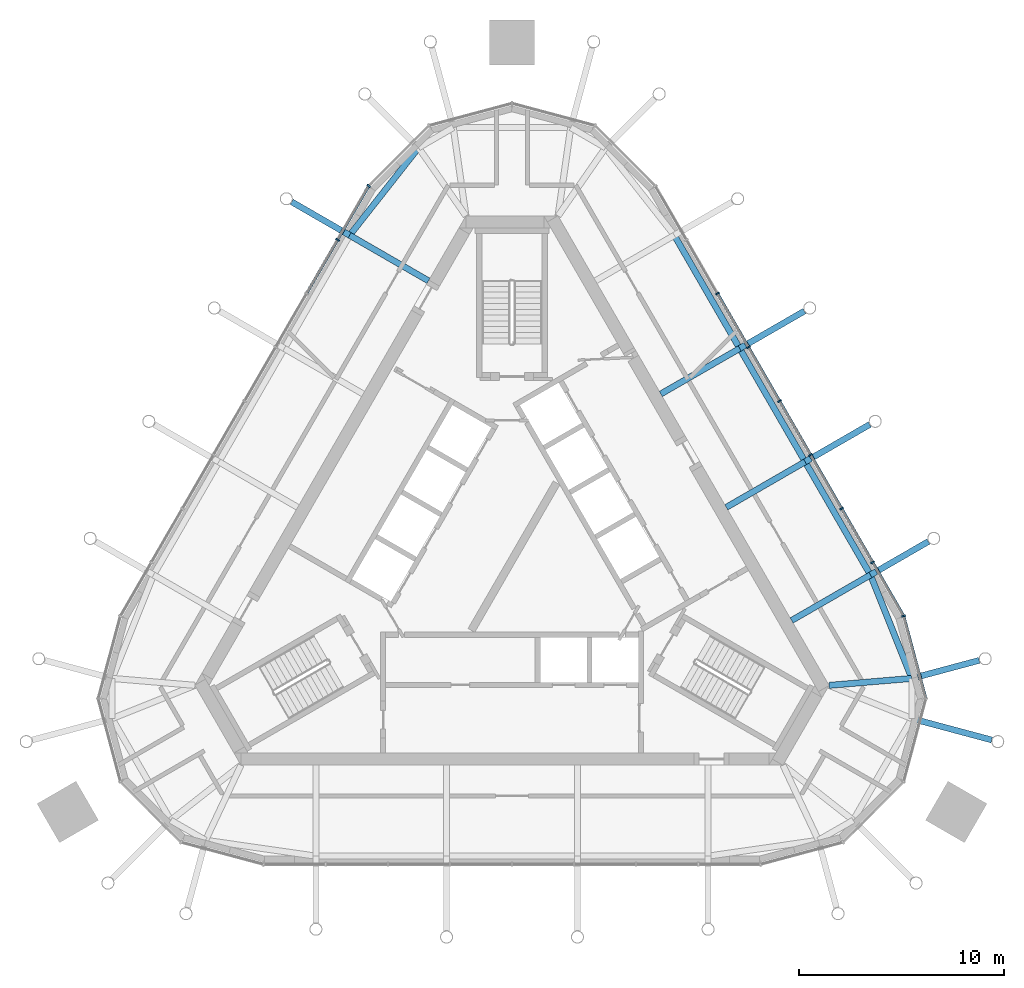
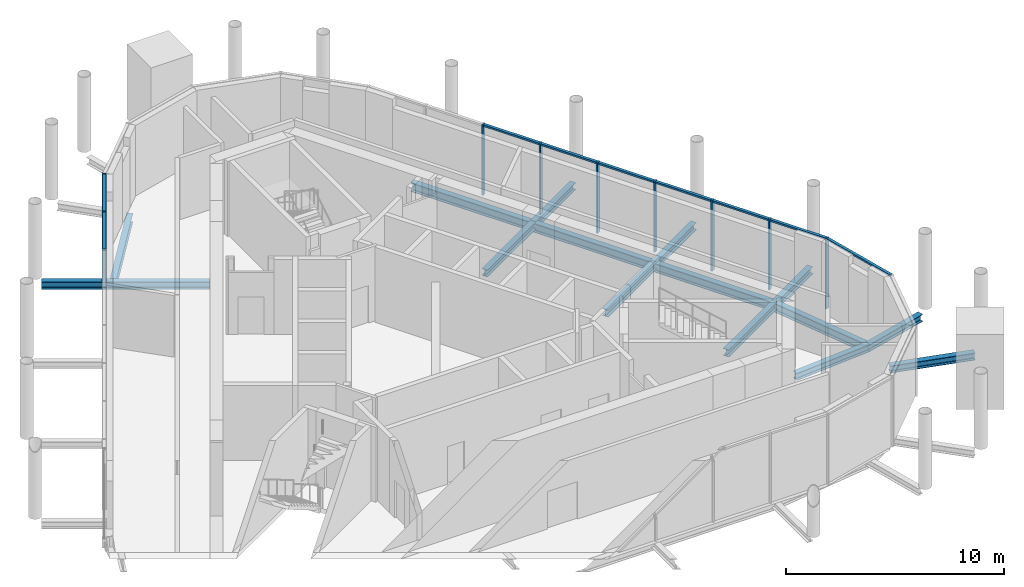
# One storey, part 4 of 11: 18 members, 16 beams, 4 elements without a shape of their own.
"""IFC4 building model written with IfcOpenShell, lengths in metres."""

from ifc_helpers import new_model, si_unit, direction, frame, origin, origin_2d, place, context, subcontext, project, spatial, rectangle, i_section, extrude, material, material_profile, profile_set, type_object, element, aggregate, save


model = new_model("IFC4")

# Units and contexts
model_context = context("Model", 3, precision=1e-05, world=origin(), true_north=direction((0.0, 1.0)))
body_context = subcontext(model_context, "Body", "Model", "MODEL_VIEW")
ifc_project = project(units=[si_unit("LENGTHUNIT", "METRE"), si_unit("AREAUNIT", "SQUARE_METRE"), si_unit("VOLUMEUNIT", "CUBIC_METRE"), si_unit("PLANEANGLEUNIT", "RADIAN"), si_unit("MASSUNIT", "GRAM", prefix="KILO")], contexts=[model_context])

# Site, building, storey
site_placement = place(None, origin())
site = spatial("IfcSite", under=ifc_project, at=site_placement, CompositionType="ELEMENT")
building_placement = place(site_placement, origin())
building = spatial("IfcBuilding", under=site, at=building_placement, Name="Mestral Congress Tower", CompositionType="ELEMENT")
storey_placement = place(building_placement, frame((0.0, 0.0, 340.199951171875)))
storey = spatial("IfcBuildingStorey", under=building, at=storey_placement, Name="L79", CompositionType="ELEMENT", Elevation=340.199951171875)

# Curtain wall, member
ifc_material_1 = material(Name="Glazed ceramic", Category="masonry")
curtain_wall_type = type_object("IfcCurtainWallType", Name="Facade plant louvre screen", PredefinedType="USERDEFINED", material=ifc_material_1)
placement = place(storey_placement, origin())
curtain_wall_1 = element("IfcCurtainWall", 1, at=placement, inside=storey, type_object=curtain_wall_type, Name="Plant louvre screen corner 1", ObjectType="CURTAIN WALL", PredefinedType="USERDEFINED")
ifc_material_2 = material(Name="Anodised aluminium", Category="aluminium")
ifc_material_profile_1 = material_profile(ifc_material_2, rectangle(XDim=0.199951171875, YDim=0.080078125, at=origin_2d()), Name="CW6 mullion 200 x 80")
ifc_profile_set_1 = profile_set([ifc_material_profile_1], Name="Anodised aluminium")
member_type_1 = type_object("IfcMemberType", Name="Facade plant louvre screen mullion", PredefinedType="MULLION", material=ifc_profile_set_1)
member_1_placement = place(storey_placement, frame((19.145751953125, -2.96142578125, 0.0), z_axis=(0.0, 0.0, 1.0), x_axis=(0.965925826289, 0.258819045103, 0.0)))
member_1 = element("IfcMember", 2, at=member_1_placement, type_object=member_type_1, Name="Facade plant louvre screen mullion", PredefinedType="MULLION", context=body_context, shape_type="SweptSolid", body=[
    extrude(rectangle(XDim=0.199951171875, YDim=0.080078125, at=origin_2d()), origin(), (0.0, 0.0, 1.0), 3.949951171875),
])

# Curtain wall, members
curtain_wall_2 = element("IfcCurtainWall", 3, at=placement, inside=storey, type_object=curtain_wall_type, Name="Plant louvre screen side 2", ObjectType="CURTAIN WALL", PredefinedType="USERDEFINED")
member_2_placement = place(storey_placement, frame((17.628662109375, -0.33349609375, 0.0), z_axis=(0.0, 0.0, 1.0), x_axis=(0.866024531118, 0.500001511499, 0.0)))
member_2 = element("IfcMember", 4, at=member_2_placement, type_object=member_type_1, Name="Facade plant louvre screen mullion", PredefinedType="MULLION", context=body_context, shape_type="SweptSolid", body=[
    extrude(rectangle(XDim=0.199951171875, YDim=0.080078125, at=origin_2d()), origin(), (0.0, 0.0, 1.0), 3.949951171875),
])
member_3_placement = place(storey_placement, frame((16.111328125, 2.294189453125, 0.0), z_axis=(0.0, 0.0, 1.0), x_axis=(0.866024531118, 0.500001511499, 0.0)))
member_3 = element("IfcMember", 5, at=member_3_placement, type_object=member_type_1, Name="Facade plant louvre screen mullion", PredefinedType="MULLION", context=body_context, shape_type="SweptSolid", body=[
    extrude(rectangle(XDim=0.199951171875, YDim=0.080078125, at=origin_2d()), origin(), (0.0, 0.0, 1.0), 3.949951171875),
])
member_4_placement = place(storey_placement, frame((14.59423828125, 4.922119140625, 0.0), z_axis=(0.0, 0.0, 1.0), x_axis=(0.866024531118, 0.500001511499, 0.0)))
member_4 = element("IfcMember", 6, at=member_4_placement, type_object=member_type_1, Name="Facade plant louvre screen mullion", PredefinedType="MULLION", context=body_context, shape_type="SweptSolid", body=[
    extrude(rectangle(XDim=0.199951171875, YDim=0.080078125, at=origin_2d()), origin(), (0.0, 0.0, 1.0), 3.949951171875),
])
member_5_placement = place(storey_placement, frame((13.076904296875, 7.550048828125, 0.0), z_axis=(0.0, 0.0, 1.0), x_axis=(0.866024531118, 0.500001511499, 0.0)))
member_5 = element("IfcMember", 7, at=member_5_placement, type_object=member_type_1, Name="Facade plant louvre screen mullion", PredefinedType="MULLION", context=body_context, shape_type="SweptSolid", body=[
    extrude(rectangle(XDim=0.199951171875, YDim=0.080078125, at=origin_2d()), origin(), (0.0, 0.0, 1.0), 3.949951171875),
])
member_6_placement = place(storey_placement, frame((11.559814453125, 10.177978515625, 0.0), z_axis=(0.0, 0.0, 1.0), x_axis=(0.866024531118, 0.500001511499, 0.0)))
member_6 = element("IfcMember", 8, at=member_6_placement, type_object=member_type_1, Name="Facade plant louvre screen mullion", PredefinedType="MULLION", context=body_context, shape_type="SweptSolid", body=[
    extrude(rectangle(XDim=0.199951171875, YDim=0.080078125, at=origin_2d()), origin(), (0.0, 0.0, 1.0), 3.949951171875),
])
member_7_placement = place(storey_placement, frame((10.04248046875, 12.8056640625, 0.0), z_axis=(0.0, 0.0, 1.0), x_axis=(0.866024531118, 0.500001511499, 0.0)))
member_7 = element("IfcMember", 9, at=member_7_placement, type_object=member_type_1, Name="Facade plant louvre screen mullion", PredefinedType="MULLION", context=body_context, shape_type="SweptSolid", body=[
    extrude(rectangle(XDim=0.199951171875, YDim=0.080078125, at=origin_2d()), origin(), (0.0, 0.0, 1.0), 3.949951171875),
])

# Curtain wall, member
curtain_wall_3 = element("IfcCurtainWall", 10, at=placement, inside=storey, type_object=curtain_wall_type, Name="Plant louvre screen corner 3", ObjectType="CURTAIN WALL", PredefinedType="USERDEFINED")
member_8_placement = place(storey_placement, frame((-7.00830078125, 18.061279296875, 0.0), z_axis=(0.0, 0.0, 1.0), x_axis=(-0.707106781187, 0.707106781187, 0.0)))
member_8 = element("IfcMember", 11, at=member_8_placement, type_object=member_type_1, Name="Facade plant louvre screen mullion", PredefinedType="MULLION", context=body_context, shape_type="SweptSolid", body=[
    extrude(rectangle(XDim=0.199951171875, YDim=0.080078125, at=origin_2d()), origin(), (0.0, 0.0, 1.0), 3.949951171875),
])
aggregate(curtain_wall_3, [member_8])

curtain_wall_4 = element("IfcCurtainWall", 12, at=placement, inside=storey, type_object=curtain_wall_type, Name="Plant louvre screen side 4", ObjectType="CURTAIN WALL", PredefinedType="USERDEFINED")
member_9_placement = place(storey_placement, frame((-8.525390625, 15.43359375, 0.0), z_axis=(0.0, 0.0, 1.0), x_axis=(-0.866024531118, 0.500001511499, 0.0)))
member_9 = element("IfcMember", 13, at=member_9_placement, type_object=member_type_1, Name="Facade plant louvre screen mullion", PredefinedType="MULLION", context=body_context, shape_type="SweptSolid", body=[
    extrude(rectangle(XDim=0.199951171875, YDim=0.080078125, at=origin_2d()), origin(), (0.0, 0.0, 1.0), 3.949951171875),
])

# Member
ifc_material_profile_2 = material_profile(ifc_material_2, rectangle(XDim=0.14990234375, YDim=0.10009765625, at=origin_2d()), Name="CW6 transom 150 x 100")
ifc_profile_set_2 = profile_set([ifc_material_profile_2], Name="Anodised aluminium")
member_type_2 = type_object("IfcMemberType", Name="Facade plant louvre screen transom", PredefinedType="USERDEFINED", material=ifc_profile_set_2)
member_10_placement = place(storey_placement, frame((20.217529296875, -6.96142578125, 3.900146484375), z_axis=(-0.258833286133, 0.965922010304, 0.0), x_axis=(-0.965922010304, -0.258833286133, 0.0)))
member_10 = element("IfcMember", 14, at=member_10_placement, type_object=member_type_2, Name="Facade plant louvre screen transom", ObjectType="TRANSOM", PredefinedType="USERDEFINED", context=body_context, shape_type="SweptSolid", body=[
    extrude(rectangle(XDim=0.14990234375, YDim=0.10009765625, at=origin_2d()), origin(), (0.0, 0.0, 1.0), 4.10107421875),
])

aggregate(curtain_wall_1, [member_1, member_10])

member_11_placement = place(storey_placement, frame((19.125732421875, -2.9267578125, 3.900146484375), z_axis=(-0.499960902066, 0.86604797581, 0.0), x_axis=(-0.86604797581, -0.499960902066, 0.0)))
member_11 = element("IfcMember", 15, at=member_11_placement, type_object=member_type_2, Name="Facade plant louvre screen transom", ObjectType="TRANSOM", PredefinedType="USERDEFINED", context=body_context, shape_type="SweptSolid", body=[
    extrude(rectangle(XDim=0.14990234375, YDim=0.10009765625, at=origin_2d()), origin(), (0.0, 0.0, 1.0), 2.954345703125),
])

member_12_placement = place(storey_placement, frame((17.608642578125, -0.298828125, 3.900146484375), z_axis=(-0.50002288008, 0.866012193561, 0.0), x_axis=(-0.866012193561, -0.50002288008, 0.0)))
member_12 = element("IfcMember", 16, at=member_12_placement, type_object=member_type_2, Name="Facade plant louvre screen transom", ObjectType="TRANSOM", PredefinedType="USERDEFINED", context=body_context, shape_type="SweptSolid", body=[
    extrude(rectangle(XDim=0.14990234375, YDim=0.10009765625, at=origin_2d()), origin(), (0.0, 0.0, 1.0), 2.954345703125),
])

member_13_placement = place(storey_placement, frame((16.09130859375, 2.328857421875, 3.900146484375), z_axis=(-0.499960902066, 0.86604797581, 0.0), x_axis=(-0.86604797581, -0.499960902066, 0.0)))
member_13 = element("IfcMember", 17, at=member_13_placement, type_object=member_type_2, Name="Facade plant louvre screen transom", ObjectType="TRANSOM", PredefinedType="USERDEFINED", context=body_context, shape_type="SweptSolid", body=[
    extrude(rectangle(XDim=0.14990234375, YDim=0.10009765625, at=origin_2d()), origin(), (0.0, 0.0, 1.0), 2.954345703125),
])

member_14_placement = place(storey_placement, frame((14.57421875, 4.956787109375, 3.900146484375), z_axis=(-0.50002288008, 0.866012193561, 0.0), x_axis=(-0.866012193561, -0.50002288008, 0.0)))
member_14 = element("IfcMember", 18, at=member_14_placement, type_object=member_type_2, Name="Facade plant louvre screen transom", ObjectType="TRANSOM", PredefinedType="USERDEFINED", context=body_context, shape_type="SweptSolid", body=[
    extrude(rectangle(XDim=0.14990234375, YDim=0.10009765625, at=origin_2d()), origin(), (0.0, 0.0, 1.0), 2.954345703125),
])

member_15_placement = place(storey_placement, frame((13.056884765625, 7.584716796875, 3.900146484375), z_axis=(-0.499960902066, 0.86604797581, 0.0), x_axis=(-0.86604797581, -0.499960902066, 0.0)))
member_15 = element("IfcMember", 19, at=member_15_placement, type_object=member_type_2, Name="Facade plant louvre screen transom", ObjectType="TRANSOM", PredefinedType="USERDEFINED", context=body_context, shape_type="SweptSolid", body=[
    extrude(rectangle(XDim=0.14990234375, YDim=0.10009765625, at=origin_2d()), origin(), (0.0, 0.0, 1.0), 2.954345703125),
])

member_16_placement = place(storey_placement, frame((11.539794921875, 10.21240234375, 3.900146484375), z_axis=(-0.50002288008, 0.866012193561, 0.0), x_axis=(-0.866012193561, -0.50002288008, 0.0)))
member_16 = element("IfcMember", 20, at=member_16_placement, type_object=member_type_2, Name="Facade plant louvre screen transom", ObjectType="TRANSOM", PredefinedType="USERDEFINED", context=body_context, shape_type="SweptSolid", body=[
    extrude(rectangle(XDim=0.14990234375, YDim=0.10009765625, at=origin_2d()), origin(), (0.0, 0.0, 1.0), 2.954345703125),
])

aggregate(curtain_wall_2, [member_2, member_3, member_4, member_5, member_6, member_7, member_11, member_12, member_13, member_14, member_15, member_16])

member_17_placement = place(storey_placement, frame((-7.0283203125, 18.02685546875, 3.900146484375), z_axis=(-0.499960902066, -0.86604797581, 0.0), x_axis=(0.86604797581, -0.499960902066, 0.0)))
member_17 = element("IfcMember", 21, at=member_17_placement, type_object=member_type_2, Name="Facade plant louvre screen transom", ObjectType="TRANSOM", PredefinedType="USERDEFINED", context=body_context, shape_type="SweptSolid", body=[
    extrude(rectangle(XDim=0.14990234375, YDim=0.10009765625, at=origin_2d()), origin(), (0.0, 0.0, 1.0), 2.954345703125),
])

member_18_placement = place(storey_placement, frame((-8.54541015625, 15.39892578125, 3.900146484375), z_axis=(-0.50002288008, -0.866012193561, 0.0), x_axis=(0.866012193561, -0.50002288008, 0.0)))
member_18 = element("IfcMember", 22, at=member_18_placement, type_object=member_type_2, Name="Facade plant louvre screen transom", ObjectType="TRANSOM", PredefinedType="USERDEFINED", context=body_context, shape_type="SweptSolid", body=[
    extrude(rectangle(XDim=0.14990234375, YDim=0.10009765625, at=origin_2d()), origin(), (0.0, 0.0, 1.0), 2.954345703125),
])

aggregate(curtain_wall_4, [member_9, member_17, member_18])

# Beams
ifc_material_3 = material(Name="Steel S355", Category="steel")
ifc_material_profile_3 = material_profile(ifc_material_3, i_section(OverallWidth=0.300048828125, OverallDepth=0.39990234375, WebThickness=0.013427734375, FlangeThickness=0.02392578125, FilletRadius=0.027099609375, at=origin_2d()), Name="HEB 400")
ifc_profile_set_3 = profile_set([ifc_material_profile_3], Name="Steel S355")
beam_type_1 = type_object("IfcBeamType", Name="Floor beam HEB 400 S355", PredefinedType="BEAM", material=ifc_profile_set_3)
for number, where, z_axis, x_axis, name in (
    (23, (-4.083251953125, 13.427734375, -0.449951171875), (-0.866036664382, 0.499980495566, 0.0), (-0.499980495566, -0.866036664382, 0.0), "BM-L79-KR11"),
    (24, (7.277099609375, 7.89599609375, -0.449951171875), (0.866036664382, 0.499980495566, 0.0), (-0.499980495566, 0.866036664382, 0.0), "BM-L79-KR17"),
    (25, (10.4765625, 2.35400390625, -0.449951171875), (0.866012907634, 0.500021643343, 0.0), (-0.500021643343, 0.866012907634, 0.0), "BM-L79-KR18"),
    (26, (13.67041015625, -3.177734375, -0.449951171875), (0.866012907634, 0.500021643343, 0.0), (-0.500021643343, 0.866012907634, 0.0), "BM-L79-KR19"),
):
    element("IfcBeam", number, at=place(storey_placement, frame(where, z_axis=z_axis, x_axis=x_axis)), inside=storey, type_object=beam_type_1, Name=name, PredefinedType="BEAM", context=body_context, shape_type="SweptSolid", body=[
        extrude(i_section(OverallWidth=0.300048828125, OverallDepth=0.39990234375, WebThickness=0.013427734375, FlangeThickness=0.02392578125, FilletRadius=0.027099609375, at=origin_2d()), origin(), (0.0, 0.0, 1.0), 4.449951171875),
    ])
beam_1_placement = place(storey_placement, frame((15.501953125, -6.35009765625, -0.449951171875), z_axis=(0.996497077205, 0.083627597852, 0.0), x_axis=(-0.083627597852, 0.996497077205, 0.0)))
element("IfcBeam", 27, at=beam_1_placement, inside=storey, type_object=beam_type_1, Name="BM-L79-KR20", PredefinedType="BEAM", context=body_context, shape_type="SweptSolid", body=[
    extrude(i_section(OverallWidth=0.300048828125, OverallDepth=0.39990234375, WebThickness=0.013427734375, FlangeThickness=0.02392578125, FilletRadius=0.027099609375, at=origin_2d()), origin(), (0.0, 0.0, 1.0), 4.060791015625),
])
beam_2_placement = place(storey_placement, frame((-10.767822265625, 17.287109375, -0.449951171875), z_axis=(0.866005234444, -0.500034932695, 0.0), x_axis=(0.500034932695, 0.866005234444, 0.0)))
element("IfcBeam", 28, at=beam_2_placement, inside=storey, type_object=beam_type_1, Name="BM-L79-KT-C5-W01", PredefinedType="BEAM", context=body_context, shape_type="SweptSolid", body=[
    extrude(i_section(OverallWidth=0.300048828125, OverallDepth=0.39990234375, WebThickness=0.013427734375, FlangeThickness=0.02392578125, FilletRadius=0.027099609375, at=origin_2d()), origin(), (0.0, 0.0, 1.0), 3.268798828125),
])
beam_3_placement = place(storey_placement, frame((14.2919921875, 11.946044921875, -0.449951171875), z_axis=(-0.866011828767, -0.500023511883, 0.0), x_axis=(0.500023511883, -0.866011828767, 0.0)))
element("IfcBeam", 29, at=beam_3_placement, inside=storey, type_object=beam_type_1, Name="BM-L79-KT-C5-E03", PredefinedType="BEAM", context=body_context, shape_type="SweptSolid", body=[
    extrude(i_section(OverallWidth=0.300048828125, OverallDepth=0.39990234375, WebThickness=0.013427734375, FlangeThickness=0.02392578125, FilletRadius=0.027099609375, at=origin_2d()), origin(), (0.0, 0.0, 1.0), 3.650146484375),
])
beam_4_placement = place(storey_placement, frame((17.49169921875, 6.404296875, -0.449951171875), z_axis=(-0.866028549844, -0.499994550825, 0.0), x_axis=(0.499994550825, -0.866028549844, 0.0)))
element("IfcBeam", 30, at=beam_4_placement, inside=storey, type_object=beam_type_1, Name="BM-L79-KT-C5-E02", PredefinedType="BEAM", context=body_context, shape_type="SweptSolid", body=[
    extrude(i_section(OverallWidth=0.300048828125, OverallDepth=0.39990234375, WebThickness=0.013427734375, FlangeThickness=0.02392578125, FilletRadius=0.027099609375, at=origin_2d()), origin(), (0.0, 0.0, 1.0), 3.650390625),
])
beam_5_placement = place(storey_placement, frame((20.35498046875, 0.681640625, -0.449951171875), z_axis=(-0.86603757612, -0.499978916304, 0.0), x_axis=(0.499978916304, -0.86603757612, 0.0)))
element("IfcBeam", 31, at=beam_5_placement, inside=storey, type_object=beam_type_1, Name="BM-L79-KT-C5-E01", PredefinedType="BEAM", context=body_context, shape_type="SweptSolid", body=[
    extrude(i_section(OverallWidth=0.300048828125, OverallDepth=0.39990234375, WebThickness=0.013427734375, FlangeThickness=0.02392578125, FilletRadius=0.027099609375, at=origin_2d()), origin(), (0.0, 0.0, 1.0), 3.268798828125),
])
beam_6_placement = place(storey_placement, frame((22.841552734375, -5.1279296875, -0.449951171875), z_axis=(-0.965909688455, -0.258879264811, 0.0), x_axis=(0.258879264811, -0.965909688455, 0.0)))
element("IfcBeam", 32, at=beam_6_placement, inside=storey, type_object=beam_type_1, Name="BM-L79-KT-C5-E00", PredefinedType="BEAM", context=body_context, shape_type="SweptSolid", body=[
    extrude(i_section(OverallWidth=0.300048828125, OverallDepth=0.39990234375, WebThickness=0.013427734375, FlangeThickness=0.02392578125, FilletRadius=0.027099609375, at=origin_2d()), origin(), (0.0, 0.0, 1.0), 3.4091796875),
])
beam_7_placement = place(storey_placement, frame((23.453369140625, -9.0205078125, -0.449951171875), z_axis=(-0.965930242246, 0.258802563966, 0.0), x_axis=(-0.258802563966, -0.965930242246, 0.0)))
element("IfcBeam", 33, at=beam_7_placement, inside=storey, type_object=beam_type_1, Name="BM-L79-KT-C5-SE3", PredefinedType="BEAM", context=body_context, shape_type="SweptSolid", body=[
    extrude(i_section(OverallWidth=0.300048828125, OverallDepth=0.39990234375, WebThickness=0.013427734375, FlangeThickness=0.02392578125, FilletRadius=0.027099609375, at=origin_2d()), origin(), (0.0, 0.0, 1.0), 4.03857421875),
])
ifc_material_profile_4 = material_profile(ifc_material_3, i_section(OverallWidth=0.300048828125, OverallDepth=0.5, WebThickness=0.014404296875, FlangeThickness=0.028076171875, FilletRadius=0.027099609375, at=origin_2d()), Name="HEB 500")
ifc_profile_set_4 = profile_set([ifc_material_profile_4], Name="Steel S355")
beam_type_2 = type_object("IfcBeamType", Name="Floor beam HEB 500 S355", PredefinedType="BEAM", material=ifc_profile_set_4)
beam_8_placement = place(storey_placement, frame((-7.93701171875, 15.652587890625, -0.5), z_axis=(0.618197515987, 0.786022793071, 0.0), x_axis=(-0.786022793071, 0.618197515987, 0.0)))
element("IfcBeam", 34, at=beam_8_placement, inside=storey, type_object=beam_type_2, Name="BM-L79-KG11", PredefinedType="BEAM", context=body_context, shape_type="SweptSolid", body=[
    extrude(i_section(OverallWidth=0.300048828125, OverallDepth=0.5, WebThickness=0.014404296875, FlangeThickness=0.028076171875, FilletRadius=0.027099609375, at=origin_2d()), origin(), (0.0, 0.0, 1.0), 5.447998046875),
])
beam_9_placement = place(storey_placement, frame((7.93701171875, 15.652587890625, -0.5), z_axis=(0.500011397576, -0.866018823291, 0.0), x_axis=(0.866018823291, 0.500011397576, 0.0)))
element("IfcBeam", 35, at=beam_9_placement, inside=storey, type_object=beam_type_2, Name="BM-L79-KG16", PredefinedType="BEAM", context=body_context, shape_type="SweptSolid", body=[
    extrude(i_section(OverallWidth=0.300048828125, OverallDepth=0.5, WebThickness=0.014404296875, FlangeThickness=0.028076171875, FilletRadius=0.027099609375, at=origin_2d()), origin(), (0.0, 0.0, 1.0), 6.387451171875),
])
beam_10_placement = place(storey_placement, frame((11.130859375, 10.120849609375, -0.5), z_axis=(0.499992166441, -0.866029926444, 0.0), x_axis=(0.866029926444, 0.499992166441, 0.0)))
element("IfcBeam", 36, at=beam_10_placement, inside=storey, type_object=beam_type_2, Name="BM-L79-KG17", PredefinedType="BEAM", context=body_context, shape_type="SweptSolid", body=[
    extrude(i_section(OverallWidth=0.300048828125, OverallDepth=0.5, WebThickness=0.014404296875, FlangeThickness=0.028076171875, FilletRadius=0.027099609375, at=origin_2d()), origin(), (0.0, 0.0, 1.0), 6.39892578125),
])
beam_11_placement = place(storey_placement, frame((14.330322265625, 4.5791015625, -0.5), z_axis=(0.500011397576, -0.866018823291, 0.0), x_axis=(0.866018823291, 0.500011397576, 0.0)))
element("IfcBeam", 37, at=beam_11_placement, inside=storey, type_object=beam_type_2, Name="BM-L79-KG18", PredefinedType="BEAM", context=body_context, shape_type="SweptSolid", body=[
    extrude(i_section(OverallWidth=0.300048828125, OverallDepth=0.5, WebThickness=0.014404296875, FlangeThickness=0.028076171875, FilletRadius=0.027099609375, at=origin_2d()), origin(), (0.0, 0.0, 1.0), 6.387451171875),
])
beam_12_placement = place(storey_placement, frame((17.524169921875, -0.95263671875, -0.5), z_axis=(0.37159155469, -0.928396314341, 0.0), x_axis=(0.928396314341, 0.37159155469, 0.0)))
element("IfcBeam", 38, at=beam_12_placement, inside=storey, type_object=beam_type_2, Name="BM-L79-KG19", PredefinedType="BEAM", context=body_context, shape_type="SweptSolid", body=[
    extrude(i_section(OverallWidth=0.300048828125, OverallDepth=0.5, WebThickness=0.014404296875, FlangeThickness=0.028076171875, FilletRadius=0.027099609375, at=origin_2d()), origin(), (0.0, 0.0, 1.0), 5.447998046875),
])

save(model, "model.ifc")
